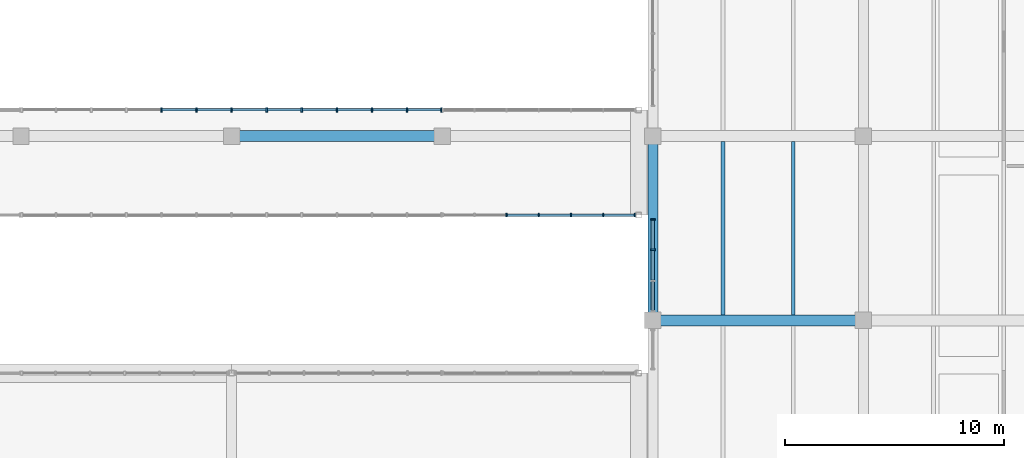
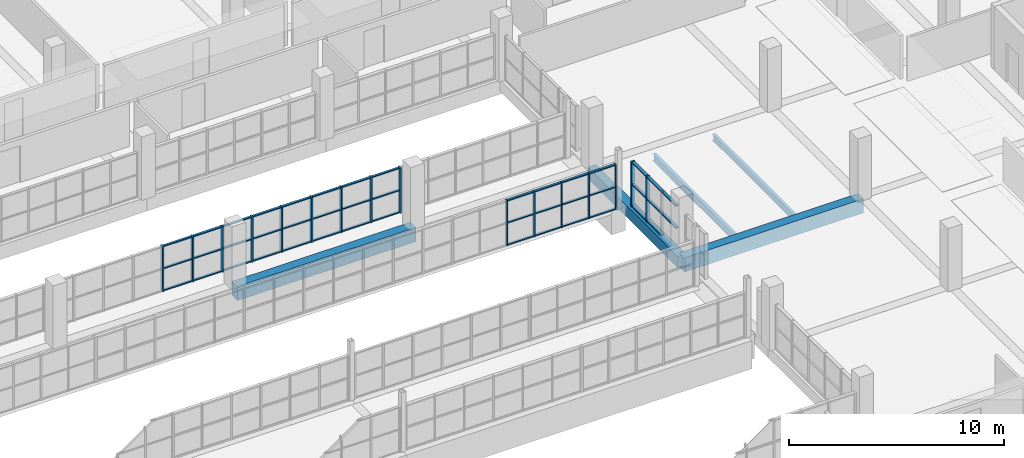
# One storey, part 65 of 147: 60 members, 5 beams, 3 elements without a shape of their own.
"""IFC4 building model written with IfcOpenShell, lengths in metres."""

from ifc_helpers import new_model, si_unit, direction, frame, origin, origin_2d, place, context, subcontext, project, spatial, rectangle, i_section, extrude, material, material_profile, profile_set, type_object, element, aggregate, save


model = new_model("IFC4")

# Units and contexts
model_context = context("Model", 3, precision=1e-05, world=origin(), true_north=direction((0.0, 1.0)))
body_context = subcontext(model_context, "Body", "Model", "MODEL_VIEW")
ifc_project = project(units=[si_unit("LENGTHUNIT", "METRE"), si_unit("AREAUNIT", "SQUARE_METRE"), si_unit("VOLUMEUNIT", "CUBIC_METRE"), si_unit("PLANEANGLEUNIT", "RADIAN"), si_unit("MASSUNIT", "GRAM", prefix="KILO")], contexts=[model_context])

# Site, building, storey
site_placement = place(None, origin())
site = spatial("IfcSite", under=ifc_project, at=site_placement, CompositionType="ELEMENT")
building_placement = place(site_placement, origin())
building = spatial("IfcBuilding", under=site, at=building_placement, Name="Oolite Switchyard Hospital", CompositionType="ELEMENT")
storey_placement = place(building_placement, frame((0.0, 0.0, 9.89990234375)))
storey = spatial("IfcBuildingStorey", under=building, at=storey_placement, Name="L02", CompositionType="ELEMENT", Elevation=9.89990234375)

# Beams
ifc_material_1 = material(Name="Concrete C40/50", Category="concrete")
ifc_material_profile_1 = material_profile(ifc_material_1, rectangle(XDim=0.449951171875, YDim=0.64990234375, at=origin_2d()), Name="RCB450X650")
ifc_profile_set_1 = profile_set([ifc_material_profile_1], Name="Concrete C40/50")
beam_type_1 = type_object("IfcBeamType", Name="BM-RC450X650", PredefinedType="BEAM", material=ifc_profile_set_1)
beam_1_placement = place(storey_placement, frame((182.39990234375, 42.0, -0.324951171875), z_axis=(0.0, 1.0, 0.0), x_axis=(-1.0, 0.0, 0.0)))
element("IfcBeam", 1, at=beam_1_placement, inside=storey, type_object=beam_type_1, Name="L02 Y-Girder 1471", PredefinedType="BEAM", context=body_context, shape_type="SweptSolid", body=[
    extrude(rectangle(XDim=0.449951171875, YDim=0.64990234375, at=origin_2d()), origin(), (0.0, 0.0, 1.0), 8.39990234375),
])
ifc_material_profile_2 = material_profile(ifc_material_1, rectangle(XDim=0.5, YDim=0.800048828125, at=origin_2d()), Name="RCB500X800")
ifc_profile_set_2 = profile_set([ifc_material_profile_2], Name="Concrete C40/50")
beam_type_2 = type_object("IfcBeamType", Name="BM-RC500X800", PredefinedType="BEAM", material=ifc_profile_set_2)
for number, where, z_axis, x_axis, name in (
    (2, (182.39990234375, 42.0, -0.39990234375), (1.0, 0.0, 0.0), (0.0, 1.0, 0.0), "L02 X-Girder 1059"),
    (3, (163.199951171875, 50.39990234375, -0.39990234375), (1.0, 0.0, 0.0), (0.0, 1.0, 0.0), "L02 X-Girder 1073"),
):
    element("IfcBeam", number, at=place(storey_placement, frame(where, z_axis=z_axis, x_axis=x_axis)), inside=storey, type_object=beam_type_2, Name=name, PredefinedType="BEAM", context=body_context, shape_type="SweptSolid", body=[
        extrude(rectangle(XDim=0.5, YDim=0.800048828125, at=origin_2d()), origin(), (0.0, 0.0, 1.0), 9.60009765625),
    ])
ifc_material_2 = material(Name="Steel ASTM A992 Grade 50", Category="steel")
ifc_material_profile_3 = material_profile(ifc_material_2, i_section(OverallWidth=0.1708984375, OverallDepth=0.35107421875, WebThickness=0.007080078125, FlangeThickness=0.010009765625, at=origin_2d()), Name="W14X30")
ifc_profile_set_3 = profile_set([ifc_material_profile_3], Name="Steel ASTM A992 Grade 50")
beam_type_3 = type_object("IfcBeamType", Name="BM-W14X30", PredefinedType="JOIST", material=ifc_profile_set_3)
beam_2_placement = place(storey_placement, frame((188.800048828125, 42.25, -0.434814453125), z_axis=(0.0, 1.0, 0.0), x_axis=(-1.0, 0.0, 0.0)))
element("IfcBeam", 4, at=beam_2_placement, inside=storey, type_object=beam_type_3, Name="L02 Secondary Steel Joist 1875", PredefinedType="JOIST", context=body_context, shape_type="SweptSolid", body=[
    extrude(i_section(OverallWidth=0.1708984375, OverallDepth=0.35107421875, WebThickness=0.007080078125, FlangeThickness=0.010009765625, at=origin_2d()), origin(), (0.0, 0.0, 1.0), 7.89990234375),
])
ifc_material_profile_4 = material_profile(ifc_material_2, i_section(OverallWidth=0.177978515625, OverallDepth=0.403076171875, WebThickness=0.008056640625, FlangeThickness=0.010986328125, at=origin_2d()), Name="W16X36")
ifc_profile_set_4 = profile_set([ifc_material_profile_4], Name="Steel ASTM A992 Grade 50")
beam_type_4 = type_object("IfcBeamType", Name="BM-W16X36", PredefinedType="JOIST", material=ifc_profile_set_4)
beam_3_placement = place(storey_placement, frame((185.60009765625, 42.25, -0.4609375), z_axis=(0.0, 1.0, 0.0), x_axis=(-1.0, 0.0, 0.0)))
element("IfcBeam", 5, at=beam_3_placement, inside=storey, type_object=beam_type_4, Name="L02 Secondary Steel Joist 1874", PredefinedType="JOIST", context=body_context, shape_type="SweptSolid", body=[
    extrude(i_section(OverallWidth=0.177978515625, OverallDepth=0.403076171875, WebThickness=0.008056640625, FlangeThickness=0.010986328125, at=origin_2d()), origin(), (0.0, 0.0, 1.0), 7.89990234375),
])

# Curtain wall, members
ifc_material_3 = material(Name="Thermally broken aluminum frame with laminated impact glazing", Category="aluminium")
curtain_wall_type = type_object("IfcCurtainWallType", Name="CW-BRG-96X38", PredefinedType="USERDEFINED", material=ifc_material_3)
curtain_wall_1_placement = place(storey_placement, origin())
curtain_wall_1 = element("IfcCurtainWall", 6, at=curtain_wall_1_placement, inside=storey, type_object=curtain_wall_type, Name="L02 Unitised Curtain Wall 238", ObjectType="UNITISED", PredefinedType="USERDEFINED")
ifc_material_4 = material(Name="Aluminium 6063-T6", Category="aluminium")
ifc_material_profile_5 = material_profile(ifc_material_4, rectangle(XDim=0.159912109375, YDim=0.06005859375, at=origin_2d()), Name="CWM60X160")
ifc_profile_set_5 = profile_set([ifc_material_profile_5], Name="Aluminium 6063-T6")
member_type_1 = type_object("IfcMemberType", Name="CW-MUL-180", PredefinedType="MULLION", material=ifc_profile_set_5)
member_1_placement = place(storey_placement, frame((181.577880859375, 46.800048828125, 0.0), z_axis=(0.0, 0.0, 1.0), x_axis=(0.0, -1.0, 0.0)))
member_1 = element("IfcMember", 7, at=member_1_placement, type_object=member_type_1, Name="CW-12 mullion 1", PredefinedType="MULLION", context=body_context, shape_type="SweptSolid", body=[
    extrude(rectangle(XDim=0.159912109375, YDim=0.06005859375, at=origin_2d()), origin(), (0.0, 0.0, 1.0), 2.570068359375),
])
member_2_placement = place(storey_placement, frame((180.139892578125, 46.800048828125, 0.0), z_axis=(0.0, 0.0, 1.0), x_axis=(0.0, -1.0, 0.0)))
member_2 = element("IfcMember", 8, at=member_2_placement, type_object=member_type_1, Name="CW-12 mullion 2", PredefinedType="MULLION", context=body_context, shape_type="SweptSolid", body=[
    extrude(rectangle(XDim=0.159912109375, YDim=0.06005859375, at=origin_2d()), origin(), (0.0, 0.0, 1.0), 2.570068359375),
])
member_3_placement = place(storey_placement, frame((178.672119140625, 46.800048828125, 0.0), z_axis=(0.0, 0.0, 1.0), x_axis=(0.0, -1.0, 0.0)))
member_3 = element("IfcMember", 9, at=member_3_placement, type_object=member_type_1, Name="CW-12 mullion 3", PredefinedType="MULLION", context=body_context, shape_type="SweptSolid", body=[
    extrude(rectangle(XDim=0.159912109375, YDim=0.06005859375, at=origin_2d()), origin(), (0.0, 0.0, 1.0), 2.570068359375),
])
member_4_placement = place(storey_placement, frame((177.2041015625, 46.800048828125, 0.0), z_axis=(0.0, 0.0, 1.0), x_axis=(0.0, -1.0, 0.0)))
member_4 = element("IfcMember", 10, at=member_4_placement, type_object=member_type_1, Name="CW-12 mullion 4", PredefinedType="MULLION", context=body_context, shape_type="SweptSolid", body=[
    extrude(rectangle(XDim=0.159912109375, YDim=0.06005859375, at=origin_2d()), origin(), (0.0, 0.0, 1.0), 2.570068359375),
])
member_5_placement = place(storey_placement, frame((175.736083984375, 46.800048828125, 0.0), z_axis=(0.0, 0.0, 1.0), x_axis=(0.0, -1.0, 0.0)))
member_5 = element("IfcMember", 11, at=member_5_placement, type_object=member_type_1, Name="CW-12 mullion 5", PredefinedType="MULLION", context=body_context, shape_type="SweptSolid", body=[
    extrude(rectangle(XDim=0.159912109375, YDim=0.06005859375, at=origin_2d()), origin(), (0.0, 0.0, 1.0), 2.570068359375),
])

curtain_wall_2_placement = place(storey_placement, origin())
curtain_wall_2 = element("IfcCurtainWall", 12, at=curtain_wall_2_placement, inside=storey, type_object=curtain_wall_type, Name="L02 Unitised Curtain Wall 240", ObjectType="UNITISED", PredefinedType="USERDEFINED")
ifc_material_profile_6 = material_profile(ifc_material_4, rectangle(XDim=0.199951171875, YDim=0.074951171875, at=origin_2d()), Name="CWM75X200")
ifc_profile_set_6 = profile_set([ifc_material_profile_6], Name="Aluminium 6063-T6")
member_type_2 = type_object("IfcMemberType", Name="CW-MUL-260", PredefinedType="MULLION", material=ifc_profile_set_6)
member_6_placement = place(storey_placement, frame((160.0, 51.60009765625, 0.0), z_axis=(0.0, 0.0, 1.0), x_axis=(0.0, 1.0, 0.0)))
member_6 = element("IfcMember", 13, at=member_6_placement, type_object=member_type_2, Name="CW-12 mullion 5", PredefinedType="MULLION", context=body_context, shape_type="SweptSolid", body=[
    extrude(rectangle(XDim=0.199951171875, YDim=0.074951171875, at=origin_2d()), origin(), (0.0, 0.0, 1.0), 2.570068359375),
])
member_7_placement = place(storey_placement, frame((161.60009765625, 51.60009765625, 0.0), z_axis=(0.0, 0.0, 1.0), x_axis=(0.0, 1.0, 0.0)))
member_7 = element("IfcMember", 14, at=member_7_placement, type_object=member_type_2, Name="CW-12 mullion 6", PredefinedType="MULLION", context=body_context, shape_type="SweptSolid", body=[
    extrude(rectangle(XDim=0.199951171875, YDim=0.074951171875, at=origin_2d()), origin(), (0.0, 0.0, 1.0), 2.570068359375),
])
member_8_placement = place(storey_placement, frame((163.199951171875, 51.60009765625, 0.0), z_axis=(0.0, 0.0, 1.0), x_axis=(0.0, 1.0, 0.0)))
member_8 = element("IfcMember", 15, at=member_8_placement, type_object=member_type_2, Name="CW-12 mullion 7", PredefinedType="MULLION", context=body_context, shape_type="SweptSolid", body=[
    extrude(rectangle(XDim=0.199951171875, YDim=0.074951171875, at=origin_2d()), origin(), (0.0, 0.0, 1.0), 2.570068359375),
])
member_9_placement = place(storey_placement, frame((164.800048828125, 51.60009765625, 0.0), z_axis=(0.0, 0.0, 1.0), x_axis=(0.0, 1.0, 0.0)))
member_9 = element("IfcMember", 16, at=member_9_placement, type_object=member_type_2, Name="CW-12 mullion 8", PredefinedType="MULLION", context=body_context, shape_type="SweptSolid", body=[
    extrude(rectangle(XDim=0.199951171875, YDim=0.074951171875, at=origin_2d()), origin(), (0.0, 0.0, 1.0), 2.570068359375),
])
member_10_placement = place(storey_placement, frame((166.39990234375, 51.60009765625, 0.0), z_axis=(0.0, 0.0, 1.0), x_axis=(0.0, 1.0, 0.0)))
member_10 = element("IfcMember", 17, at=member_10_placement, type_object=member_type_2, Name="CW-12 mullion 9", PredefinedType="MULLION", context=body_context, shape_type="SweptSolid", body=[
    extrude(rectangle(XDim=0.199951171875, YDim=0.074951171875, at=origin_2d()), origin(), (0.0, 0.0, 1.0), 2.570068359375),
])
member_11_placement = place(storey_placement, frame((168.0, 51.60009765625, 0.0), z_axis=(0.0, 0.0, 1.0), x_axis=(0.0, 1.0, 0.0)))
member_11 = element("IfcMember", 18, at=member_11_placement, type_object=member_type_2, Name="CW-12 mullion 10", PredefinedType="MULLION", context=body_context, shape_type="SweptSolid", body=[
    extrude(rectangle(XDim=0.199951171875, YDim=0.074951171875, at=origin_2d()), origin(), (0.0, 0.0, 1.0), 2.570068359375),
])
member_12_placement = place(storey_placement, frame((169.60009765625, 51.60009765625, 0.0), z_axis=(0.0, 0.0, 1.0), x_axis=(0.0, 1.0, 0.0)))
member_12 = element("IfcMember", 19, at=member_12_placement, type_object=member_type_2, Name="CW-12 mullion 11", PredefinedType="MULLION", context=body_context, shape_type="SweptSolid", body=[
    extrude(rectangle(XDim=0.199951171875, YDim=0.074951171875, at=origin_2d()), origin(), (0.0, 0.0, 1.0), 2.570068359375),
])
member_13_placement = place(storey_placement, frame((171.199951171875, 51.60009765625, 0.0), z_axis=(0.0, 0.0, 1.0), x_axis=(0.0, 1.0, 0.0)))
member_13 = element("IfcMember", 20, at=member_13_placement, type_object=member_type_2, Name="CW-12 mullion 12", PredefinedType="MULLION", context=body_context, shape_type="SweptSolid", body=[
    extrude(rectangle(XDim=0.199951171875, YDim=0.074951171875, at=origin_2d()), origin(), (0.0, 0.0, 1.0), 2.570068359375),
])
member_14_placement = place(storey_placement, frame((172.762451171875, 51.60009765625, 0.0), z_axis=(0.0, 0.0, 1.0), x_axis=(0.0, 1.0, 0.0)))
member_14 = element("IfcMember", 21, at=member_14_placement, type_object=member_type_2, Name="CW-12 mullion 13", PredefinedType="MULLION", context=body_context, shape_type="SweptSolid", body=[
    extrude(rectangle(XDim=0.199951171875, YDim=0.074951171875, at=origin_2d()), origin(), (0.0, 0.0, 1.0), 2.570068359375),
])

curtain_wall_3_placement = place(storey_placement, origin())
curtain_wall_3 = element("IfcCurtainWall", 22, at=curtain_wall_3_placement, inside=storey, type_object=curtain_wall_type, Name="L02 Unitised Curtain Wall 309", ObjectType="UNITISED", PredefinedType="USERDEFINED")
member_15_placement = place(storey_placement, frame((182.39990234375, 45.223388671875, 0.0), z_axis=(0.0, 0.0, 1.0), x_axis=(-1.0, 0.0, 0.0)))
member_15 = element("IfcMember", 23, at=member_15_placement, type_object=member_type_2, Name="CW-12 mullion 3", PredefinedType="MULLION", context=body_context, shape_type="SweptSolid", body=[
    extrude(rectangle(XDim=0.199951171875, YDim=0.074951171875, at=origin_2d()), origin(), (0.0, 0.0, 1.0), 2.570068359375),
])
member_16_placement = place(storey_placement, frame((182.39990234375, 46.6025390625, 0.0), z_axis=(0.0, 0.0, 1.0), x_axis=(-1.0, 0.0, 0.0)))
member_16 = element("IfcMember", 24, at=member_16_placement, type_object=member_type_2, Name="CW-12 mullion 4", PredefinedType="MULLION", context=body_context, shape_type="SweptSolid", body=[
    extrude(rectangle(XDim=0.199951171875, YDim=0.074951171875, at=origin_2d()), origin(), (0.0, 0.0, 1.0), 2.570068359375),
])

# Member
ifc_material_profile_7 = material_profile(ifc_material_4, rectangle(XDim=0.1201171875, YDim=0.06005859375, at=origin_2d()), Name="CWT60X120")
ifc_profile_set_7 = profile_set([ifc_material_profile_7], Name="Aluminium 6063-T6")
member_type_3 = type_object("IfcMemberType", Name="CW-TRN-150", PredefinedType="USERDEFINED", material=ifc_profile_set_7)
member_17_placement = place(storey_placement, frame((181.548095703125, 46.800048828125, 0.030029296875), z_axis=(-1.0, 0.0, 0.0), x_axis=(0.0, -1.0, 0.0)))
member_17 = element("IfcMember", 25, at=member_17_placement, type_object=member_type_3, Name="CW-12 transom 1.1", ObjectType="TRANSOM", PredefinedType="USERDEFINED", context=body_context, shape_type="SweptSolid", body=[
    extrude(rectangle(XDim=0.1201171875, YDim=0.06005859375, at=origin_2d()), origin(), (0.0, 0.0, 1.0), 1.378173828125),
])

member_18_placement = place(storey_placement, frame((181.548095703125, 46.800048828125, 1.28515625), z_axis=(-1.0, 0.0, 0.0), x_axis=(0.0, -1.0, 0.0)))
member_18 = element("IfcMember", 26, at=member_18_placement, type_object=member_type_3, Name="CW-12 transom 1.2", ObjectType="TRANSOM", PredefinedType="USERDEFINED", context=body_context, shape_type="SweptSolid", body=[
    extrude(rectangle(XDim=0.1201171875, YDim=0.06005859375, at=origin_2d()), origin(), (0.0, 0.0, 1.0), 1.378173828125),
])

member_19_placement = place(storey_placement, frame((181.548095703125, 46.800048828125, 2.5400390625), z_axis=(-1.0, 0.0, 0.0), x_axis=(0.0, -1.0, 0.0)))
member_19 = element("IfcMember", 27, at=member_19_placement, type_object=member_type_3, Name="CW-12 transom 1.3", ObjectType="TRANSOM", PredefinedType="USERDEFINED", context=body_context, shape_type="SweptSolid", body=[
    extrude(rectangle(XDim=0.1201171875, YDim=0.06005859375, at=origin_2d()), origin(), (0.0, 0.0, 1.0), 1.378173828125),
])

member_20_placement = place(storey_placement, frame((180.110107421875, 46.800048828125, 0.030029296875), z_axis=(-1.0, 0.0, 0.0), x_axis=(0.0, -1.0, 0.0)))
member_20 = element("IfcMember", 28, at=member_20_placement, type_object=member_type_3, Name="CW-12 transom 2.1", ObjectType="TRANSOM", PredefinedType="USERDEFINED", context=body_context, shape_type="SweptSolid", body=[
    extrude(rectangle(XDim=0.1201171875, YDim=0.06005859375, at=origin_2d()), origin(), (0.0, 0.0, 1.0), 1.408203125),
])

member_21_placement = place(storey_placement, frame((180.110107421875, 46.800048828125, 1.28515625), z_axis=(-1.0, 0.0, 0.0), x_axis=(0.0, -1.0, 0.0)))
member_21 = element("IfcMember", 29, at=member_21_placement, type_object=member_type_3, Name="CW-12 transom 2.2", ObjectType="TRANSOM", PredefinedType="USERDEFINED", context=body_context, shape_type="SweptSolid", body=[
    extrude(rectangle(XDim=0.1201171875, YDim=0.06005859375, at=origin_2d()), origin(), (0.0, 0.0, 1.0), 1.408203125),
])

member_22_placement = place(storey_placement, frame((180.110107421875, 46.800048828125, 2.5400390625), z_axis=(-1.0, 0.0, 0.0), x_axis=(0.0, -1.0, 0.0)))
member_22 = element("IfcMember", 30, at=member_22_placement, type_object=member_type_3, Name="CW-12 transom 2.3", ObjectType="TRANSOM", PredefinedType="USERDEFINED", context=body_context, shape_type="SweptSolid", body=[
    extrude(rectangle(XDim=0.1201171875, YDim=0.06005859375, at=origin_2d()), origin(), (0.0, 0.0, 1.0), 1.408203125),
])

member_23_placement = place(storey_placement, frame((178.64208984375, 46.800048828125, 0.030029296875), z_axis=(-1.0, 0.0, 0.0), x_axis=(0.0, -1.0, 0.0)))
member_23 = element("IfcMember", 31, at=member_23_placement, type_object=member_type_3, Name="CW-12 transom 3.1", ObjectType="TRANSOM", PredefinedType="USERDEFINED", context=body_context, shape_type="SweptSolid", body=[
    extrude(rectangle(XDim=0.1201171875, YDim=0.06005859375, at=origin_2d()), origin(), (0.0, 0.0, 1.0), 1.408203125),
])

member_24_placement = place(storey_placement, frame((178.64208984375, 46.800048828125, 1.28515625), z_axis=(-1.0, 0.0, 0.0), x_axis=(0.0, -1.0, 0.0)))
member_24 = element("IfcMember", 32, at=member_24_placement, type_object=member_type_3, Name="CW-12 transom 3.2", ObjectType="TRANSOM", PredefinedType="USERDEFINED", context=body_context, shape_type="SweptSolid", body=[
    extrude(rectangle(XDim=0.1201171875, YDim=0.06005859375, at=origin_2d()), origin(), (0.0, 0.0, 1.0), 1.408203125),
])

member_25_placement = place(storey_placement, frame((178.64208984375, 46.800048828125, 2.5400390625), z_axis=(-1.0, 0.0, 0.0), x_axis=(0.0, -1.0, 0.0)))
member_25 = element("IfcMember", 33, at=member_25_placement, type_object=member_type_3, Name="CW-12 transom 3.3", ObjectType="TRANSOM", PredefinedType="USERDEFINED", context=body_context, shape_type="SweptSolid", body=[
    extrude(rectangle(XDim=0.1201171875, YDim=0.06005859375, at=origin_2d()), origin(), (0.0, 0.0, 1.0), 1.408203125),
])

member_26_placement = place(storey_placement, frame((177.174072265625, 46.800048828125, 0.030029296875), z_axis=(-1.0, 0.0, 0.0), x_axis=(0.0, -1.0, 0.0)))
member_26 = element("IfcMember", 34, at=member_26_placement, type_object=member_type_3, Name="CW-12 transom 4.1", ObjectType="TRANSOM", PredefinedType="USERDEFINED", context=body_context, shape_type="SweptSolid", body=[
    extrude(rectangle(XDim=0.1201171875, YDim=0.06005859375, at=origin_2d()), origin(), (0.0, 0.0, 1.0), 1.407958984375),
])

member_27_placement = place(storey_placement, frame((177.174072265625, 46.800048828125, 1.28515625), z_axis=(-1.0, 0.0, 0.0), x_axis=(0.0, -1.0, 0.0)))
member_27 = element("IfcMember", 35, at=member_27_placement, type_object=member_type_3, Name="CW-12 transom 4.2", ObjectType="TRANSOM", PredefinedType="USERDEFINED", context=body_context, shape_type="SweptSolid", body=[
    extrude(rectangle(XDim=0.1201171875, YDim=0.06005859375, at=origin_2d()), origin(), (0.0, 0.0, 1.0), 1.407958984375),
])

member_28_placement = place(storey_placement, frame((177.174072265625, 46.800048828125, 2.5400390625), z_axis=(-1.0, 0.0, 0.0), x_axis=(0.0, -1.0, 0.0)))
member_28 = element("IfcMember", 36, at=member_28_placement, type_object=member_type_3, Name="CW-12 transom 4.3", ObjectType="TRANSOM", PredefinedType="USERDEFINED", context=body_context, shape_type="SweptSolid", body=[
    extrude(rectangle(XDim=0.1201171875, YDim=0.06005859375, at=origin_2d()), origin(), (0.0, 0.0, 1.0), 1.407958984375),
])

aggregate(curtain_wall_1, [member_1, member_2, member_3, member_4, member_5, member_17, member_18, member_19, member_20, member_21, member_22, member_23, member_24, member_25, member_26, member_27, member_28])

member_29_placement = place(storey_placement, frame((160.03759765625, 51.60009765625, 0.030029296875), z_axis=(1.0, 0.0, 0.0), x_axis=(0.0, 1.0, 0.0)))
member_29 = element("IfcMember", 37, at=member_29_placement, type_object=member_type_3, Name="CW-12 transom 5.1", ObjectType="TRANSOM", PredefinedType="USERDEFINED", context=body_context, shape_type="SweptSolid", body=[
    extrude(rectangle(XDim=0.1201171875, YDim=0.06005859375, at=origin_2d()), origin(), (0.0, 0.0, 1.0), 1.52490234375),
])

member_30_placement = place(storey_placement, frame((160.03759765625, 51.60009765625, 1.28515625), z_axis=(1.0, 0.0, 0.0), x_axis=(0.0, 1.0, 0.0)))
member_30 = element("IfcMember", 38, at=member_30_placement, type_object=member_type_3, Name="CW-12 transom 5.2", ObjectType="TRANSOM", PredefinedType="USERDEFINED", context=body_context, shape_type="SweptSolid", body=[
    extrude(rectangle(XDim=0.1201171875, YDim=0.06005859375, at=origin_2d()), origin(), (0.0, 0.0, 1.0), 1.52490234375),
])

member_31_placement = place(storey_placement, frame((160.03759765625, 51.60009765625, 2.5400390625), z_axis=(1.0, 0.0, 0.0), x_axis=(0.0, 1.0, 0.0)))
member_31 = element("IfcMember", 39, at=member_31_placement, type_object=member_type_3, Name="CW-12 transom 5.3", ObjectType="TRANSOM", PredefinedType="USERDEFINED", context=body_context, shape_type="SweptSolid", body=[
    extrude(rectangle(XDim=0.1201171875, YDim=0.06005859375, at=origin_2d()), origin(), (0.0, 0.0, 1.0), 1.52490234375),
])

member_32_placement = place(storey_placement, frame((161.637451171875, 51.60009765625, 0.030029296875), z_axis=(1.0, 0.0, 0.0), x_axis=(0.0, 1.0, 0.0)))
member_32 = element("IfcMember", 40, at=member_32_placement, type_object=member_type_3, Name="CW-12 transom 6.1", ObjectType="TRANSOM", PredefinedType="USERDEFINED", context=body_context, shape_type="SweptSolid", body=[
    extrude(rectangle(XDim=0.1201171875, YDim=0.06005859375, at=origin_2d()), origin(), (0.0, 0.0, 1.0), 1.525146484375),
])

member_33_placement = place(storey_placement, frame((161.637451171875, 51.60009765625, 1.28515625), z_axis=(1.0, 0.0, 0.0), x_axis=(0.0, 1.0, 0.0)))
member_33 = element("IfcMember", 41, at=member_33_placement, type_object=member_type_3, Name="CW-12 transom 6.2", ObjectType="TRANSOM", PredefinedType="USERDEFINED", context=body_context, shape_type="SweptSolid", body=[
    extrude(rectangle(XDim=0.1201171875, YDim=0.06005859375, at=origin_2d()), origin(), (0.0, 0.0, 1.0), 1.525146484375),
])

member_34_placement = place(storey_placement, frame((161.637451171875, 51.60009765625, 2.5400390625), z_axis=(1.0, 0.0, 0.0), x_axis=(0.0, 1.0, 0.0)))
member_34 = element("IfcMember", 42, at=member_34_placement, type_object=member_type_3, Name="CW-12 transom 6.3", ObjectType="TRANSOM", PredefinedType="USERDEFINED", context=body_context, shape_type="SweptSolid", body=[
    extrude(rectangle(XDim=0.1201171875, YDim=0.06005859375, at=origin_2d()), origin(), (0.0, 0.0, 1.0), 1.525146484375),
])

member_35_placement = place(storey_placement, frame((163.237548828125, 51.60009765625, 0.030029296875), z_axis=(1.0, 0.0, 0.0), x_axis=(0.0, 1.0, 0.0)))
member_35 = element("IfcMember", 43, at=member_35_placement, type_object=member_type_3, Name="CW-12 transom 7.1", ObjectType="TRANSOM", PredefinedType="USERDEFINED", context=body_context, shape_type="SweptSolid", body=[
    extrude(rectangle(XDim=0.1201171875, YDim=0.06005859375, at=origin_2d()), origin(), (0.0, 0.0, 1.0), 1.52490234375),
])

member_36_placement = place(storey_placement, frame((163.237548828125, 51.60009765625, 1.28515625), z_axis=(1.0, 0.0, 0.0), x_axis=(0.0, 1.0, 0.0)))
member_36 = element("IfcMember", 44, at=member_36_placement, type_object=member_type_3, Name="CW-12 transom 7.2", ObjectType="TRANSOM", PredefinedType="USERDEFINED", context=body_context, shape_type="SweptSolid", body=[
    extrude(rectangle(XDim=0.1201171875, YDim=0.06005859375, at=origin_2d()), origin(), (0.0, 0.0, 1.0), 1.52490234375),
])

member_37_placement = place(storey_placement, frame((163.237548828125, 51.60009765625, 2.5400390625), z_axis=(1.0, 0.0, 0.0), x_axis=(0.0, 1.0, 0.0)))
member_37 = element("IfcMember", 45, at=member_37_placement, type_object=member_type_3, Name="CW-12 transom 7.3", ObjectType="TRANSOM", PredefinedType="USERDEFINED", context=body_context, shape_type="SweptSolid", body=[
    extrude(rectangle(XDim=0.1201171875, YDim=0.06005859375, at=origin_2d()), origin(), (0.0, 0.0, 1.0), 1.52490234375),
])

member_38_placement = place(storey_placement, frame((164.83740234375, 51.60009765625, 0.030029296875), z_axis=(1.0, 0.0, 0.0), x_axis=(0.0, 1.0, 0.0)))
member_38 = element("IfcMember", 46, at=member_38_placement, type_object=member_type_3, Name="CW-12 transom 8.1", ObjectType="TRANSOM", PredefinedType="USERDEFINED", context=body_context, shape_type="SweptSolid", body=[
    extrude(rectangle(XDim=0.1201171875, YDim=0.06005859375, at=origin_2d()), origin(), (0.0, 0.0, 1.0), 1.525146484375),
])

member_39_placement = place(storey_placement, frame((164.83740234375, 51.60009765625, 1.28515625), z_axis=(1.0, 0.0, 0.0), x_axis=(0.0, 1.0, 0.0)))
member_39 = element("IfcMember", 47, at=member_39_placement, type_object=member_type_3, Name="CW-12 transom 8.2", ObjectType="TRANSOM", PredefinedType="USERDEFINED", context=body_context, shape_type="SweptSolid", body=[
    extrude(rectangle(XDim=0.1201171875, YDim=0.06005859375, at=origin_2d()), origin(), (0.0, 0.0, 1.0), 1.525146484375),
])

member_40_placement = place(storey_placement, frame((164.83740234375, 51.60009765625, 2.5400390625), z_axis=(1.0, 0.0, 0.0), x_axis=(0.0, 1.0, 0.0)))
member_40 = element("IfcMember", 48, at=member_40_placement, type_object=member_type_3, Name="CW-12 transom 8.3", ObjectType="TRANSOM", PredefinedType="USERDEFINED", context=body_context, shape_type="SweptSolid", body=[
    extrude(rectangle(XDim=0.1201171875, YDim=0.06005859375, at=origin_2d()), origin(), (0.0, 0.0, 1.0), 1.525146484375),
])

member_41_placement = place(storey_placement, frame((166.4375, 51.60009765625, 0.030029296875), z_axis=(1.0, 0.0, 0.0), x_axis=(0.0, 1.0, 0.0)))
member_41 = element("IfcMember", 49, at=member_41_placement, type_object=member_type_3, Name="CW-12 transom 9.1", ObjectType="TRANSOM", PredefinedType="USERDEFINED", context=body_context, shape_type="SweptSolid", body=[
    extrude(rectangle(XDim=0.1201171875, YDim=0.06005859375, at=origin_2d()), origin(), (0.0, 0.0, 1.0), 1.52490234375),
])

member_42_placement = place(storey_placement, frame((166.4375, 51.60009765625, 1.28515625), z_axis=(1.0, 0.0, 0.0), x_axis=(0.0, 1.0, 0.0)))
member_42 = element("IfcMember", 50, at=member_42_placement, type_object=member_type_3, Name="CW-12 transom 9.2", ObjectType="TRANSOM", PredefinedType="USERDEFINED", context=body_context, shape_type="SweptSolid", body=[
    extrude(rectangle(XDim=0.1201171875, YDim=0.06005859375, at=origin_2d()), origin(), (0.0, 0.0, 1.0), 1.52490234375),
])

member_43_placement = place(storey_placement, frame((166.4375, 51.60009765625, 2.5400390625), z_axis=(1.0, 0.0, 0.0), x_axis=(0.0, 1.0, 0.0)))
member_43 = element("IfcMember", 51, at=member_43_placement, type_object=member_type_3, Name="CW-12 transom 9.3", ObjectType="TRANSOM", PredefinedType="USERDEFINED", context=body_context, shape_type="SweptSolid", body=[
    extrude(rectangle(XDim=0.1201171875, YDim=0.06005859375, at=origin_2d()), origin(), (0.0, 0.0, 1.0), 1.52490234375),
])

member_44_placement = place(storey_placement, frame((168.03759765625, 51.60009765625, 0.030029296875), z_axis=(1.0, 0.0, 0.0), x_axis=(0.0, 1.0, 0.0)))
member_44 = element("IfcMember", 52, at=member_44_placement, type_object=member_type_3, Name="CW-12 transom 10.1", ObjectType="TRANSOM", PredefinedType="USERDEFINED", context=body_context, shape_type="SweptSolid", body=[
    extrude(rectangle(XDim=0.1201171875, YDim=0.06005859375, at=origin_2d()), origin(), (0.0, 0.0, 1.0), 1.52490234375),
])

member_45_placement = place(storey_placement, frame((168.03759765625, 51.60009765625, 1.28515625), z_axis=(1.0, 0.0, 0.0), x_axis=(0.0, 1.0, 0.0)))
member_45 = element("IfcMember", 53, at=member_45_placement, type_object=member_type_3, Name="CW-12 transom 10.2", ObjectType="TRANSOM", PredefinedType="USERDEFINED", context=body_context, shape_type="SweptSolid", body=[
    extrude(rectangle(XDim=0.1201171875, YDim=0.06005859375, at=origin_2d()), origin(), (0.0, 0.0, 1.0), 1.52490234375),
])

member_46_placement = place(storey_placement, frame((168.03759765625, 51.60009765625, 2.5400390625), z_axis=(1.0, 0.0, 0.0), x_axis=(0.0, 1.0, 0.0)))
member_46 = element("IfcMember", 54, at=member_46_placement, type_object=member_type_3, Name="CW-12 transom 10.3", ObjectType="TRANSOM", PredefinedType="USERDEFINED", context=body_context, shape_type="SweptSolid", body=[
    extrude(rectangle(XDim=0.1201171875, YDim=0.06005859375, at=origin_2d()), origin(), (0.0, 0.0, 1.0), 1.52490234375),
])

member_47_placement = place(storey_placement, frame((169.637451171875, 51.60009765625, 0.030029296875), z_axis=(1.0, 0.0, 0.0), x_axis=(0.0, 1.0, 0.0)))
member_47 = element("IfcMember", 55, at=member_47_placement, type_object=member_type_3, Name="CW-12 transom 11.1", ObjectType="TRANSOM", PredefinedType="USERDEFINED", context=body_context, shape_type="SweptSolid", body=[
    extrude(rectangle(XDim=0.1201171875, YDim=0.06005859375, at=origin_2d()), origin(), (0.0, 0.0, 1.0), 1.525146484375),
])

member_48_placement = place(storey_placement, frame((169.637451171875, 51.60009765625, 1.28515625), z_axis=(1.0, 0.0, 0.0), x_axis=(0.0, 1.0, 0.0)))
member_48 = element("IfcMember", 56, at=member_48_placement, type_object=member_type_3, Name="CW-12 transom 11.2", ObjectType="TRANSOM", PredefinedType="USERDEFINED", context=body_context, shape_type="SweptSolid", body=[
    extrude(rectangle(XDim=0.1201171875, YDim=0.06005859375, at=origin_2d()), origin(), (0.0, 0.0, 1.0), 1.525146484375),
])

member_49_placement = place(storey_placement, frame((169.637451171875, 51.60009765625, 2.5400390625), z_axis=(1.0, 0.0, 0.0), x_axis=(0.0, 1.0, 0.0)))
member_49 = element("IfcMember", 57, at=member_49_placement, type_object=member_type_3, Name="CW-12 transom 11.3", ObjectType="TRANSOM", PredefinedType="USERDEFINED", context=body_context, shape_type="SweptSolid", body=[
    extrude(rectangle(XDim=0.1201171875, YDim=0.06005859375, at=origin_2d()), origin(), (0.0, 0.0, 1.0), 1.525146484375),
])

member_50_placement = place(storey_placement, frame((171.237548828125, 51.60009765625, 0.030029296875), z_axis=(1.0, 0.0, 0.0), x_axis=(0.0, 1.0, 0.0)))
member_50 = element("IfcMember", 58, at=member_50_placement, type_object=member_type_3, Name="CW-12 transom 12.1", ObjectType="TRANSOM", PredefinedType="USERDEFINED", context=body_context, shape_type="SweptSolid", body=[
    extrude(rectangle(XDim=0.1201171875, YDim=0.06005859375, at=origin_2d()), origin(), (0.0, 0.0, 1.0), 1.487548828125),
])

member_51_placement = place(storey_placement, frame((171.237548828125, 51.60009765625, 1.28515625), z_axis=(1.0, 0.0, 0.0), x_axis=(0.0, 1.0, 0.0)))
member_51 = element("IfcMember", 59, at=member_51_placement, type_object=member_type_3, Name="CW-12 transom 12.2", ObjectType="TRANSOM", PredefinedType="USERDEFINED", context=body_context, shape_type="SweptSolid", body=[
    extrude(rectangle(XDim=0.1201171875, YDim=0.06005859375, at=origin_2d()), origin(), (0.0, 0.0, 1.0), 1.487548828125),
])

member_52_placement = place(storey_placement, frame((171.237548828125, 51.60009765625, 2.5400390625), z_axis=(1.0, 0.0, 0.0), x_axis=(0.0, 1.0, 0.0)))
member_52 = element("IfcMember", 60, at=member_52_placement, type_object=member_type_3, Name="CW-12 transom 12.3", ObjectType="TRANSOM", PredefinedType="USERDEFINED", context=body_context, shape_type="SweptSolid", body=[
    extrude(rectangle(XDim=0.1201171875, YDim=0.06005859375, at=origin_2d()), origin(), (0.0, 0.0, 1.0), 1.487548828125),
])

aggregate(curtain_wall_2, [member_6, member_7, member_8, member_9, member_10, member_11, member_12, member_13, member_14, member_29, member_30, member_31, member_32, member_33, member_34, member_35, member_36, member_37, member_38, member_39, member_40, member_41, member_42, member_43, member_44, member_45, member_46, member_47, member_48, member_49, member_50, member_51, member_52])

ifc_material_profile_8 = material_profile(ifc_material_4, rectangle(XDim=0.159912109375, YDim=0.074951171875, at=origin_2d()), Name="CWT75X160")
ifc_profile_set_8 = profile_set([ifc_material_profile_8], Name="Aluminium 6063-T6")
member_type_4 = type_object("IfcMemberType", Name="CW-TRN-180", PredefinedType="USERDEFINED", material=ifc_profile_set_8)
member_53_placement = place(storey_placement, frame((182.39990234375, 42.465087890625, 1.28515625), z_axis=(0.0, 1.0, 0.0), x_axis=(-1.0, 0.0, 0.0)))
member_53 = element("IfcMember", 61, at=member_53_placement, type_object=member_type_4, Name="CW-12 transom 1.2", ObjectType="TRANSOM", PredefinedType="USERDEFINED", context=body_context, shape_type="SweptSolid", body=[
    extrude(rectangle(XDim=0.159912109375, YDim=0.074951171875, at=origin_2d()), origin(), (0.0, 0.0, 1.0), 1.30419921875),
])

member_54_placement = place(storey_placement, frame((182.39990234375, 42.465087890625, 2.53271484375), z_axis=(0.0, 1.0, 0.0), x_axis=(-1.0, 0.0, 0.0)))
member_54 = element("IfcMember", 62, at=member_54_placement, type_object=member_type_4, Name="CW-12 transom 1.3", ObjectType="TRANSOM", PredefinedType="USERDEFINED", context=body_context, shape_type="SweptSolid", body=[
    extrude(rectangle(XDim=0.159912109375, YDim=0.074951171875, at=origin_2d()), origin(), (0.0, 0.0, 1.0), 1.30419921875),
])

member_55_placement = place(storey_placement, frame((182.39990234375, 43.84423828125, 0.03759765625), z_axis=(0.0, 1.0, 0.0), x_axis=(-1.0, 0.0, 0.0)))
member_55 = element("IfcMember", 63, at=member_55_placement, type_object=member_type_4, Name="CW-12 transom 2.1", ObjectType="TRANSOM", PredefinedType="USERDEFINED", context=body_context, shape_type="SweptSolid", body=[
    extrude(rectangle(XDim=0.159912109375, YDim=0.074951171875, at=origin_2d()), origin(), (0.0, 0.0, 1.0), 1.341552734375),
])

member_56_placement = place(storey_placement, frame((182.39990234375, 43.84423828125, 1.28515625), z_axis=(0.0, 1.0, 0.0), x_axis=(-1.0, 0.0, 0.0)))
member_56 = element("IfcMember", 64, at=member_56_placement, type_object=member_type_4, Name="CW-12 transom 2.2", ObjectType="TRANSOM", PredefinedType="USERDEFINED", context=body_context, shape_type="SweptSolid", body=[
    extrude(rectangle(XDim=0.159912109375, YDim=0.074951171875, at=origin_2d()), origin(), (0.0, 0.0, 1.0), 1.341552734375),
])

member_57_placement = place(storey_placement, frame((182.39990234375, 43.84423828125, 2.53271484375), z_axis=(0.0, 1.0, 0.0), x_axis=(-1.0, 0.0, 0.0)))
member_57 = element("IfcMember", 65, at=member_57_placement, type_object=member_type_4, Name="CW-12 transom 2.3", ObjectType="TRANSOM", PredefinedType="USERDEFINED", context=body_context, shape_type="SweptSolid", body=[
    extrude(rectangle(XDim=0.159912109375, YDim=0.074951171875, at=origin_2d()), origin(), (0.0, 0.0, 1.0), 1.341552734375),
])

member_58_placement = place(storey_placement, frame((182.39990234375, 45.2607421875, 0.03759765625), z_axis=(0.0, 1.0, 0.0), x_axis=(-1.0, 0.0, 0.0)))
member_58 = element("IfcMember", 66, at=member_58_placement, type_object=member_type_4, Name="CW-12 transom 3.1", ObjectType="TRANSOM", PredefinedType="USERDEFINED", context=body_context, shape_type="SweptSolid", body=[
    extrude(rectangle(XDim=0.159912109375, YDim=0.074951171875, at=origin_2d()), origin(), (0.0, 0.0, 1.0), 1.30419921875),
])

member_59_placement = place(storey_placement, frame((182.39990234375, 45.2607421875, 1.28515625), z_axis=(0.0, 1.0, 0.0), x_axis=(-1.0, 0.0, 0.0)))
member_59 = element("IfcMember", 67, at=member_59_placement, type_object=member_type_4, Name="CW-12 transom 3.2", ObjectType="TRANSOM", PredefinedType="USERDEFINED", context=body_context, shape_type="SweptSolid", body=[
    extrude(rectangle(XDim=0.159912109375, YDim=0.074951171875, at=origin_2d()), origin(), (0.0, 0.0, 1.0), 1.30419921875),
])

member_60_placement = place(storey_placement, frame((182.39990234375, 45.2607421875, 2.53271484375), z_axis=(0.0, 1.0, 0.0), x_axis=(-1.0, 0.0, 0.0)))
member_60 = element("IfcMember", 68, at=member_60_placement, type_object=member_type_4, Name="CW-12 transom 3.3", ObjectType="TRANSOM", PredefinedType="USERDEFINED", context=body_context, shape_type="SweptSolid", body=[
    extrude(rectangle(XDim=0.159912109375, YDim=0.074951171875, at=origin_2d()), origin(), (0.0, 0.0, 1.0), 1.30419921875),
])

aggregate(curtain_wall_3, [member_15, member_16, member_53, member_54, member_55, member_56, member_57, member_58, member_59, member_60])

save(model, "model.ifc")
